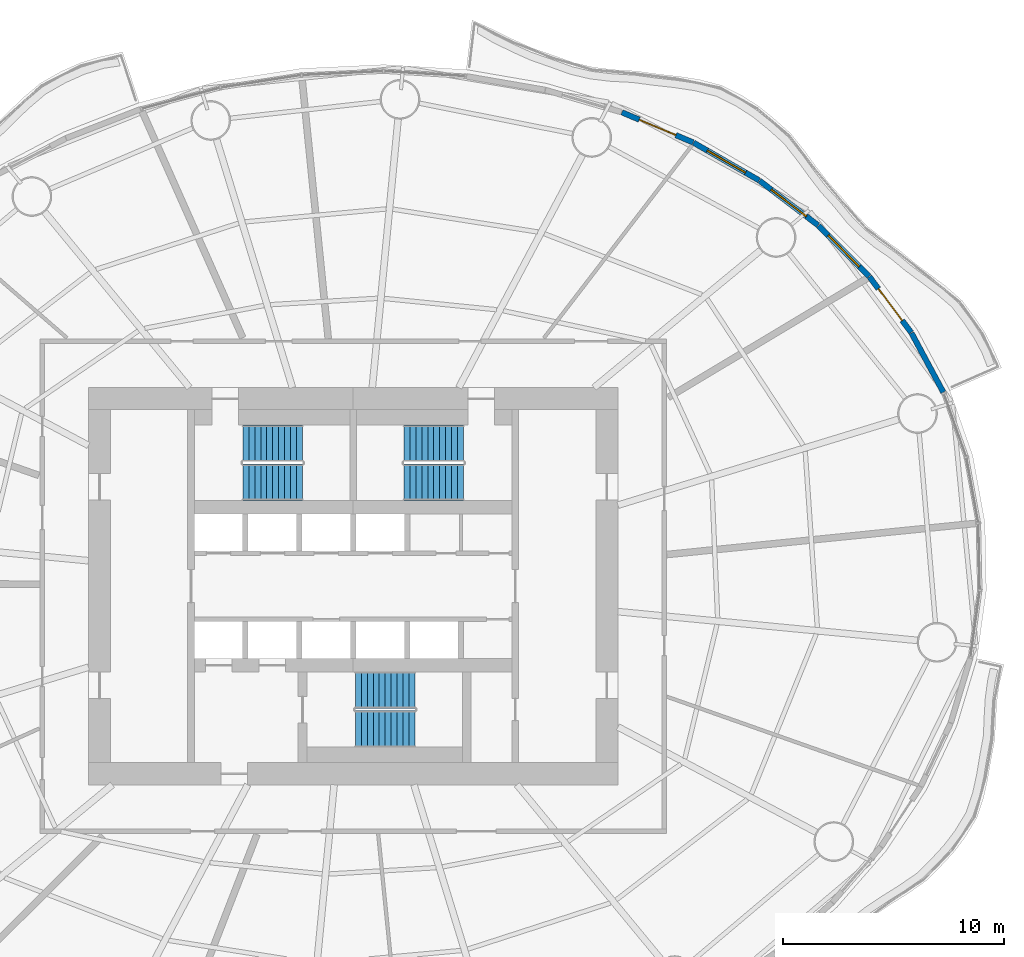
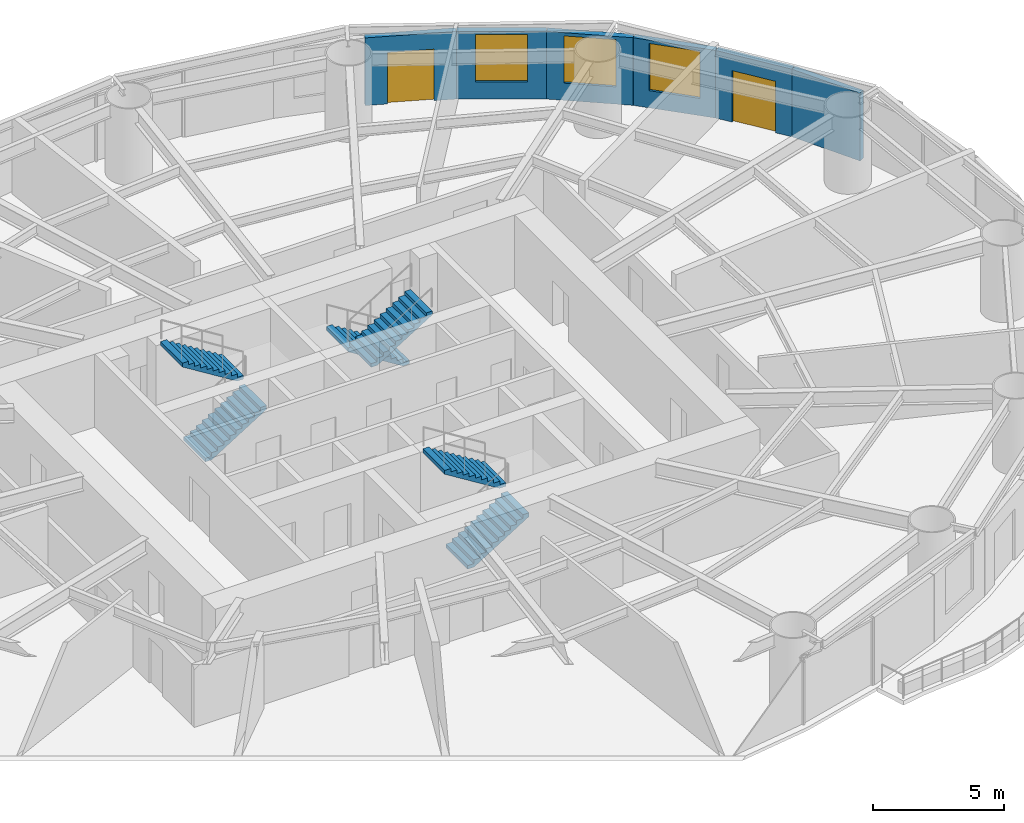
# One storey, part 11 of 16: 6 stair flights, 6 walls, 3 windows, 2 doors, 5 openings, 3 elements without a shape of their own.
"""IFC4 building model written with IfcOpenShell, lengths in metres."""

from ifc_helpers import new_model, si_unit, direction, frame, frame_2d, origin, place, context, subcontext, project, spatial, polyline, rectangle, outline, extrude, material, layer, layer_set, type_object, element, fill, aggregate, save


model = new_model("IFC4")

# Units and contexts
model_context = context("Model", 3, precision=1e-05, world=origin(), true_north=direction((0.0, 1.0)))
body_context = subcontext(model_context, "Body", "Model", "MODEL_VIEW")
ifc_project = project(units=[si_unit("LENGTHUNIT", "METRE"), si_unit("AREAUNIT", "SQUARE_METRE"), si_unit("VOLUMEUNIT", "CUBIC_METRE"), si_unit("PLANEANGLEUNIT", "RADIAN"), si_unit("MASSUNIT", "GRAM", prefix="KILO")], contexts=[model_context])

# Site, building, storey
site_placement = place(None, origin())
site = spatial("IfcSite", under=ifc_project, at=site_placement, CompositionType="ELEMENT")
building_placement = place(site_placement, origin())
building = spatial("IfcBuilding", under=site, at=building_placement, Name="Vermilion Reach Broadcast Tower", CompositionType="ELEMENT")
storey_placement = place(building_placement, frame((0.0, 0.0, 58.199951171875)))
storey = spatial("IfcBuildingStorey", under=building, at=storey_placement, Name="L11", CompositionType="ELEMENT", Elevation=58.199951171875)

# Wall
ifc_material_1 = material(Name="Terracotta rainscreen cladding", Category="masonry")
ifc_layer = layer(ifc_material_1, 0.25)
ifc_layer_set = layer_set([ifc_layer], Name="Terracotta rainscreen wall 250")
wall_type = type_object("IfcWallType", Name="Terracotta rainscreen wall 250", PredefinedType="SOLIDWALL", material=ifc_layer_set)
wall_1_placement = place(storey_placement, frame((20.745361328125, 8.789794921875, 0.0), z_axis=(0.0, 0.0, 1.0), x_axis=(-0.473545649415, 0.880769276213, 0.0)))
element("IfcWall", 1, at=wall_1_placement, inside=storey, type_object=wall_type, Name="External wall L11 02", PredefinedType="SOLIDWALL", context=body_context, shape_type="SweptSolid", body=[
    extrude(rectangle(XDim=3.048095703125, YDim=0.25, at=frame_2d((1.52392578125, 0.0))), origin(), (0.0, 0.0, 1.0), 3.150146484375),
])

# Wall, opening, door
wall_2_placement = place(storey_placement, frame((19.287841796875, 11.496826171875, 0.0), z_axis=(0.0, 0.0, 1.0), x_axis=(-0.59907224047, 0.800694979813, 0.0)))
wall_2 = element("IfcWall", 2, at=wall_2_placement, inside=storey, type_object=wall_type, Name="External wall L11 03", PredefinedType="SOLIDWALL", context=body_context, shape_type="SweptSolid", body=[
    extrude(rectangle(XDim=3.1591796875, YDim=0.25, at=frame_2d((1.57958984375, 0.0))), origin(), (0.0, 0.0, 1.0), 3.150146484375),
])
opening_1_placement = place(wall_2_placement, frame((0.679931640625, 0.0, 0.0)))
opening_1 = element("IfcOpeningElement", 3, at=opening_1_placement, cuts=wall_2, Name="Opening D70", PredefinedType="OPENING", context=body_context, shape_type="SweptSolid", body=[
    extrude(rectangle(XDim=1.800048828125, YDim=2.39990234375, at=frame_2d((0.89990234375, 1.199951171875))), frame((0.0, 0.135009765625, 0.0), z_axis=(0.0, -1.0, 0.0), x_axis=(1.0, 0.0, 0.0)), (0.0, 0.0, 1.0), 0.27001953125),
])
ifc_material_2 = material(Name="Low-e laminated clear glass in aluminium frame", Category="aluminium")
door_type = type_object("IfcDoorType", Name="Balcony sliding door 1800 x 2400", OperationType="DOUBLE_DOOR_SLIDING", PredefinedType="DOOR", material=ifc_material_2)
door_1_placement = place(opening_1_placement, origin())
door_1 = element("IfcDoor", 4, at=door_1_placement, inside=storey, type_object=door_type, Name="Balcony door L11 run 01", OperationType="DOUBLE_DOOR_SLIDING", OverallHeight=2.39990234375, OverallWidth=1.800048828125, PredefinedType="DOOR", context=body_context, shape_type="SweptSolid", body=[
    extrude(rectangle(XDim=1.800048828125, YDim=2.39990234375, at=frame_2d((0.89990234375, 1.199951171875))), frame((0.0, 0.02490234375, 0.0), z_axis=(0.0, -1.0, 0.0), x_axis=(1.0, 0.0, 0.0)), (0.0, 0.0, 1.0), 0.050048828125),
])
fill(opening_1, door_1)

# Wall, opening, window
wall_3_placement = place(storey_placement, frame((17.37841796875, 14.0458984375, 0.0), z_axis=(0.0, 0.0, 1.0), x_axis=(-0.706541864319, 0.707671247095, 0.0)))
wall_3 = element("IfcWall", 5, at=wall_3_placement, inside=storey, type_object=wall_type, Name="External wall L11 04", PredefinedType="SOLIDWALL", context=body_context, shape_type="SweptSolid", body=[
    extrude(rectangle(XDim=3.24267578125, YDim=0.25, at=frame_2d((1.621337890625, 0.0))), origin(), (0.0, 0.0, 1.0), 3.150146484375),
])
opening_2_placement = place(wall_3_placement, frame((0.621337890625, 0.0, 0.800048828125)))
opening_2 = element("IfcOpeningElement", 6, at=opening_2_placement, cuts=wall_3, Name="Opening W01", PredefinedType="OPENING", context=body_context, shape_type="SweptSolid", body=[
    extrude(rectangle(XDim=2.0, YDim=2.199951171875, at=frame_2d((1.0, 1.10009765625))), frame((0.0, 0.135009765625, 0.0), z_axis=(0.0, -1.0, 0.0), x_axis=(1.0, 0.0, 0.0)), (0.0, 0.0, 1.0), 0.27001953125),
])
ifc_material_3 = material(Name="Low-e laminated clear glass in aluminium frame", Category="aluminium")
window_type = type_object("IfcWindowType", Name="Punched window 2000 x 2200 sill 800", PartitioningType="SINGLE_PANEL", PredefinedType="WINDOW", material=ifc_material_3)
window_1_placement = place(opening_2_placement, origin())
window_1 = element("IfcWindow", 7, at=window_1_placement, inside=storey, type_object=window_type, Name="Window L11 04", OverallHeight=2.199951171875, OverallWidth=2.0, PartitioningType="SINGLE_PANEL", PredefinedType="WINDOW", context=body_context, shape_type="SweptSolid", body=[
    extrude(rectangle(XDim=2.0, YDim=2.199951171875, at=frame_2d((1.0, 1.10009765625))), frame((0.0, 0.030029296875, 0.0), z_axis=(0.0, -1.0, 0.0), x_axis=(1.0, 0.0, 0.0)), (0.0, 0.0, 1.0), 0.06005859375),
])
fill(opening_2, window_1)

wall_4_placement = place(storey_placement, frame((15.06884765625, 16.35693359375, 0.0), z_axis=(0.0, 0.0, 1.0), x_axis=(-0.795504012695, 0.605948319402, 0.0)))
wall_4 = element("IfcWall", 8, at=wall_4_placement, inside=storey, type_object=wall_type, Name="External wall L11 05", PredefinedType="SOLIDWALL", context=body_context, shape_type="SweptSolid", body=[
    extrude(rectangle(XDim=3.333251953125, YDim=0.25, at=frame_2d((1.66650390625, 0.0))), origin(), (0.0, 0.0, 1.0), 3.150146484375),
])
opening_3_placement = place(wall_4_placement, frame((0.66650390625, 0.0, 0.800048828125)))
opening_3 = element("IfcOpeningElement", 9, at=opening_3_placement, cuts=wall_4, Name="Opening W01", PredefinedType="OPENING", context=body_context, shape_type="SweptSolid", body=[
    extrude(rectangle(XDim=2.0, YDim=2.199951171875, at=frame_2d((1.0, 1.10009765625))), frame((0.0, 0.135009765625, 0.0), z_axis=(0.0, -1.0, 0.0), x_axis=(1.0, 0.0, 0.0)), (0.0, 0.0, 1.0), 0.27001953125),
])
window_2_placement = place(opening_3_placement, origin())
window_2 = element("IfcWindow", 10, at=window_2_placement, inside=storey, type_object=window_type, Name="Window L11 05", OverallHeight=2.199951171875, OverallWidth=2.0, PartitioningType="SINGLE_PANEL", PredefinedType="WINDOW", context=body_context, shape_type="SweptSolid", body=[
    extrude(rectangle(XDim=2.0, YDim=2.199951171875, at=frame_2d((1.0, 1.10009765625))), frame((0.0, 0.030029296875, 0.0), z_axis=(0.0, -1.0, 0.0), x_axis=(1.0, 0.0, 0.0)), (0.0, 0.0, 1.0), 0.06005859375),
])
fill(opening_3, window_2)

wall_5_placement = place(storey_placement, frame((12.397216796875, 18.389892578125, 0.0), z_axis=(0.0, 0.0, 1.0), x_axis=(-0.866535553406, 0.499115352081, 0.0)))
wall_5 = element("IfcWall", 11, at=wall_5_placement, inside=storey, type_object=wall_type, Name="External wall L11 06", PredefinedType="SOLIDWALL", context=body_context, shape_type="SweptSolid", body=[
    extrude(rectangle(XDim=3.424072265625, YDim=0.25, at=frame_2d((1.7119140625, 0.0))), origin(), (0.0, 0.0, 1.0), 3.150146484375),
])
opening_4_placement = place(wall_5_placement, frame((0.712158203125, 0.0, 0.800048828125)))
opening_4 = element("IfcOpeningElement", 12, at=opening_4_placement, cuts=wall_5, Name="Opening W01", PredefinedType="OPENING", context=body_context, shape_type="SweptSolid", body=[
    extrude(rectangle(XDim=2.0, YDim=2.199951171875, at=frame_2d((1.0, 1.10009765625))), frame((0.0, 0.135009765625, 0.0), z_axis=(0.0, -1.0, 0.0), x_axis=(1.0, 0.0, 0.0)), (0.0, 0.0, 1.0), 0.27001953125),
])
window_3_placement = place(opening_4_placement, origin())
window_3 = element("IfcWindow", 13, at=window_3_placement, inside=storey, type_object=window_type, Name="Window L11 06", OverallHeight=2.199951171875, OverallWidth=2.0, PartitioningType="SINGLE_PANEL", PredefinedType="WINDOW", context=body_context, shape_type="SweptSolid", body=[
    extrude(rectangle(XDim=2.0, YDim=2.199951171875, at=frame_2d((1.0, 1.10009765625))), frame((0.0, 0.030029296875, 0.0), z_axis=(0.0, -1.0, 0.0), x_axis=(1.0, 0.0, 0.0)), (0.0, 0.0, 1.0), 0.06005859375),
])
fill(opening_4, window_3)

# Wall, opening, door
wall_6_placement = place(storey_placement, frame((9.409423828125, 20.109375, 0.0), z_axis=(0.0, 0.0, 1.0), x_axis=(-0.920920201112, 0.389751181119, 0.0)))
wall_6 = element("IfcWall", 14, at=wall_6_placement, inside=storey, type_object=wall_type, Name="External wall L11 07", PredefinedType="SOLIDWALL", context=body_context, shape_type="SweptSolid", body=[
    extrude(rectangle(XDim=3.509765625, YDim=0.25, at=frame_2d((1.7548828125, 0.0))), origin(), (0.0, 0.0, 1.0), 3.150146484375),
])
opening_5_placement = place(wall_6_placement, frame((0.85498046875, 0.0, 0.0)))
opening_5 = element("IfcOpeningElement", 15, at=opening_5_placement, cuts=wall_6, Name="Opening D70", PredefinedType="OPENING", context=body_context, shape_type="SweptSolid", body=[
    extrude(rectangle(XDim=1.800048828125, YDim=2.39990234375, at=frame_2d((0.89990234375, 1.199951171875))), frame((0.0, 0.135009765625, 0.0), z_axis=(0.0, -1.0, 0.0), x_axis=(1.0, 0.0, 0.0)), (0.0, 0.0, 1.0), 0.27001953125),
])
door_2_placement = place(opening_5_placement, origin())
door_2 = element("IfcDoor", 16, at=door_2_placement, inside=storey, type_object=door_type, Name="Balcony door L11 run 02", OperationType="DOUBLE_DOOR_SLIDING", OverallHeight=2.39990234375, OverallWidth=1.800048828125, PredefinedType="DOOR", context=body_context, shape_type="SweptSolid", body=[
    extrude(rectangle(XDim=1.800048828125, YDim=2.39990234375, at=frame_2d((0.89990234375, 1.199951171875))), frame((0.0, 0.02490234375, 0.0), z_axis=(0.0, -1.0, 0.0), x_axis=(1.0, 0.0, 0.0)), (0.0, 0.0, 1.0), 0.050048828125),
])
fill(opening_5, door_2)

# Stair, stair flights
ifc_material_4 = material(Name="Concrete C40", Category="concrete")
stair_type = type_object("IfcStairType", Name="Exit stair RC 22 risers 168 mm", PredefinedType="HALF_TURN_STAIR", material=ifc_material_4)
placement = place(storey_placement, origin())
stair_1 = element("IfcStair", 17, at=placement, inside=storey, type_object=stair_type, Name="L11 Exit stair ST1", PredefinedType="HALF_TURN_STAIR")
ifc_material_5 = material(Name="Concrete C40", Category="concrete")
stair_flight_type = type_object("IfcStairFlightType", Name="Exit stair flight RC 11 risers", PredefinedType="STRAIGHT", material=ifc_material_5)
stair_flight_1_placement = place(storey_placement, frame((-11.0, 4.7099609375, 0.0), z_axis=(0.0, 0.0, 1.0), x_axis=(1.0, 0.0, 0.0)))
stair_flight_1 = element("IfcStairFlight", 18, at=stair_flight_1_placement, type_object=stair_flight_type, Name="ST1 flight 1", NumberOfRisers=11, NumberOfTreads=10, PredefinedType="STRAIGHT", RiserHeight=0.168181818, TreadLength=0.27, context=body_context, shape_type="SweptSolid", body=[
    extrude(outline(polyline([(0.0, 0.0), (0.0, 0.168212890625), (0.27001953125, 0.168212890625), (0.27001953125, 0.33642578125), (0.5400390625, 0.33642578125), (0.5400390625, 0.504638671875), (0.81005859375, 0.504638671875), (0.81005859375, 0.672607421875), (1.080078125, 0.672607421875), (1.080078125, 0.8408203125), (1.35009765625, 0.8408203125), (1.35009765625, 1.009033203125), (1.6201171875, 1.009033203125), (1.6201171875, 1.17724609375), (1.889892578125, 1.17724609375), (1.889892578125, 1.345458984375), (2.159912109375, 1.345458984375), (2.159912109375, 1.513671875), (2.429931640625, 1.513671875), (2.429931640625, 1.681884765625), (2.699951171875, 1.681884765625), (2.699951171875, 1.85009765625), (2.699951171875, 1.505126953125), (0.283447265625, 0.0), (0.0, 0.0)])), frame((0.0, 0.830078125, 0.0), z_axis=(0.0, -1.0, 0.0), x_axis=(1.0, 0.0, 0.0)), (0.0, 0.0, 1.0), 1.659912109375),
])
stair_flight_2_placement = place(storey_placement, frame((-8.300048828125, 6.469970703125, 1.85009765625), z_axis=(0.0, 0.0, 1.0), x_axis=(-1.0, 0.0, 0.0)))
stair_flight_2 = element("IfcStairFlight", 19, at=stair_flight_2_placement, type_object=stair_flight_type, Name="ST1 flight 2", NumberOfRisers=11, NumberOfTreads=10, PredefinedType="STRAIGHT", RiserHeight=0.168181818, TreadLength=0.27, context=body_context, shape_type="SweptSolid", body=[
    extrude(outline(polyline([(0.0, 0.0), (0.0, 0.168212890625), (0.27001953125, 0.168212890625), (0.27001953125, 0.33642578125), (0.5400390625, 0.33642578125), (0.5400390625, 0.504638671875), (0.81005859375, 0.504638671875), (0.81005859375, 0.672607421875), (1.080078125, 0.672607421875), (1.080078125, 0.8408203125), (1.35009765625, 0.8408203125), (1.35009765625, 1.009033203125), (1.6201171875, 1.009033203125), (1.6201171875, 1.17724609375), (1.889892578125, 1.17724609375), (1.889892578125, 1.345458984375), (2.159912109375, 1.345458984375), (2.159912109375, 1.513671875), (2.429931640625, 1.513671875), (2.429931640625, 1.681884765625), (2.699951171875, 1.681884765625), (2.699951171875, 1.85009765625), (2.699951171875, 1.505126953125), (0.283447265625, 0.0), (0.0, 0.0)])), frame((0.0, 0.830078125, 0.0), z_axis=(0.0, -1.0, 0.0), x_axis=(1.0, 0.0, 0.0)), (0.0, 0.0, 1.0), 1.659912109375),
])
aggregate(stair_1, [stair_flight_1, stair_flight_2])

stair_2 = element("IfcStair", 20, at=placement, inside=storey, type_object=stair_type, Name="L11 Exit stair ST2", PredefinedType="HALF_TURN_STAIR")
stair_flight_3_placement = place(storey_placement, frame((-1.0, 6.469970703125, 0.0), z_axis=(0.0, 0.0, 1.0), x_axis=(-1.0, 0.0, 0.0)))
stair_flight_3 = element("IfcStairFlight", 21, at=stair_flight_3_placement, type_object=stair_flight_type, Name="ST2 flight 1", NumberOfRisers=11, NumberOfTreads=10, PredefinedType="STRAIGHT", RiserHeight=0.168181818, TreadLength=0.27, context=body_context, shape_type="SweptSolid", body=[
    extrude(outline(polyline([(0.0, 0.0), (0.0, 0.168212890625), (0.27001953125, 0.168212890625), (0.27001953125, 0.33642578125), (0.5400390625, 0.33642578125), (0.5400390625, 0.504638671875), (0.81005859375, 0.504638671875), (0.81005859375, 0.672607421875), (1.080078125, 0.672607421875), (1.080078125, 0.8408203125), (1.35009765625, 0.8408203125), (1.35009765625, 1.009033203125), (1.6201171875, 1.009033203125), (1.6201171875, 1.17724609375), (1.889892578125, 1.17724609375), (1.889892578125, 1.345458984375), (2.159912109375, 1.345458984375), (2.159912109375, 1.513671875), (2.429931640625, 1.513671875), (2.429931640625, 1.681884765625), (2.699951171875, 1.681884765625), (2.699951171875, 1.85009765625), (2.699951171875, 1.505126953125), (0.283447265625, 0.0), (0.0, 0.0)])), frame((0.0, 0.830078125, 0.0), z_axis=(0.0, -1.0, 0.0), x_axis=(1.0, 0.0, 0.0)), (0.0, 0.0, 1.0), 1.659912109375),
])
stair_flight_4_placement = place(storey_placement, frame((-3.699951171875, 4.7099609375, 1.85009765625), z_axis=(0.0, 0.0, 1.0), x_axis=(1.0, 0.0, 0.0)))
stair_flight_4 = element("IfcStairFlight", 22, at=stair_flight_4_placement, type_object=stair_flight_type, Name="ST2 flight 2", NumberOfRisers=11, NumberOfTreads=10, PredefinedType="STRAIGHT", RiserHeight=0.168181818, TreadLength=0.27, context=body_context, shape_type="SweptSolid", body=[
    extrude(outline(polyline([(0.0, 0.0), (0.0, 0.168212890625), (0.27001953125, 0.168212890625), (0.27001953125, 0.33642578125), (0.5400390625, 0.33642578125), (0.5400390625, 0.504638671875), (0.81005859375, 0.504638671875), (0.81005859375, 0.672607421875), (1.080078125, 0.672607421875), (1.080078125, 0.8408203125), (1.35009765625, 0.8408203125), (1.35009765625, 1.009033203125), (1.6201171875, 1.009033203125), (1.6201171875, 1.17724609375), (1.889892578125, 1.17724609375), (1.889892578125, 1.345458984375), (2.159912109375, 1.345458984375), (2.159912109375, 1.513671875), (2.429931640625, 1.513671875), (2.429931640625, 1.681884765625), (2.699951171875, 1.681884765625), (2.699951171875, 1.85009765625), (2.699951171875, 1.505126953125), (0.283447265625, 0.0), (0.0, 0.0)])), frame((0.0, 0.830078125, 0.0), z_axis=(0.0, -1.0, 0.0), x_axis=(1.0, 0.0, 0.0)), (0.0, 0.0, 1.0), 1.659912109375),
])
aggregate(stair_2, [stair_flight_3, stair_flight_4])

stair_3 = element("IfcStair", 23, at=placement, inside=storey, type_object=stair_type, Name="L11 Exit stair ST3", PredefinedType="HALF_TURN_STAIR")
stair_flight_5_placement = place(storey_placement, frame((-5.89990234375, -6.469970703125, 0.0), z_axis=(0.0, 0.0, 1.0), x_axis=(1.0, 0.0, 0.0)))
stair_flight_5 = element("IfcStairFlight", 24, at=stair_flight_5_placement, type_object=stair_flight_type, Name="ST3 flight 1", NumberOfRisers=11, NumberOfTreads=10, PredefinedType="STRAIGHT", RiserHeight=0.168181818, TreadLength=0.27, context=body_context, shape_type="SweptSolid", body=[
    extrude(outline(polyline([(0.0, 0.0), (0.0, 0.168212890625), (0.27001953125, 0.168212890625), (0.27001953125, 0.33642578125), (0.5400390625, 0.33642578125), (0.5400390625, 0.504638671875), (0.81005859375, 0.504638671875), (0.81005859375, 0.672607421875), (1.080078125, 0.672607421875), (1.080078125, 0.8408203125), (1.35009765625, 0.8408203125), (1.35009765625, 1.009033203125), (1.6201171875, 1.009033203125), (1.6201171875, 1.17724609375), (1.889892578125, 1.17724609375), (1.889892578125, 1.345458984375), (2.159912109375, 1.345458984375), (2.159912109375, 1.513671875), (2.429931640625, 1.513671875), (2.429931640625, 1.681884765625), (2.699951171875, 1.681884765625), (2.699951171875, 1.85009765625), (2.699951171875, 1.505126953125), (0.283447265625, 0.0), (0.0, 0.0)])), frame((0.0, 0.830078125, 0.0), z_axis=(0.0, -1.0, 0.0), x_axis=(1.0, 0.0, 0.0)), (0.0, 0.0, 1.0), 1.659912109375),
])
stair_flight_6_placement = place(storey_placement, frame((-3.199951171875, -4.7099609375, 1.85009765625), z_axis=(0.0, 0.0, 1.0), x_axis=(-1.0, 0.0, 0.0)))
stair_flight_6 = element("IfcStairFlight", 25, at=stair_flight_6_placement, type_object=stair_flight_type, Name="ST3 flight 2", NumberOfRisers=11, NumberOfTreads=10, PredefinedType="STRAIGHT", RiserHeight=0.168181818, TreadLength=0.27, context=body_context, shape_type="SweptSolid", body=[
    extrude(outline(polyline([(0.0, 0.0), (0.0, 0.168212890625), (0.27001953125, 0.168212890625), (0.27001953125, 0.33642578125), (0.5400390625, 0.33642578125), (0.5400390625, 0.504638671875), (0.81005859375, 0.504638671875), (0.81005859375, 0.672607421875), (1.080078125, 0.672607421875), (1.080078125, 0.8408203125), (1.35009765625, 0.8408203125), (1.35009765625, 1.009033203125), (1.6201171875, 1.009033203125), (1.6201171875, 1.17724609375), (1.889892578125, 1.17724609375), (1.889892578125, 1.345458984375), (2.159912109375, 1.345458984375), (2.159912109375, 1.513671875), (2.429931640625, 1.513671875), (2.429931640625, 1.681884765625), (2.699951171875, 1.681884765625), (2.699951171875, 1.85009765625), (2.699951171875, 1.505126953125), (0.283447265625, 0.0), (0.0, 0.0)])), frame((0.0, 0.830078125, 0.0), z_axis=(0.0, -1.0, 0.0), x_axis=(1.0, 0.0, 0.0)), (0.0, 0.0, 1.0), 1.659912109375),
])
aggregate(stair_3, [stair_flight_5, stair_flight_6])

save(model, "model.ifc")
